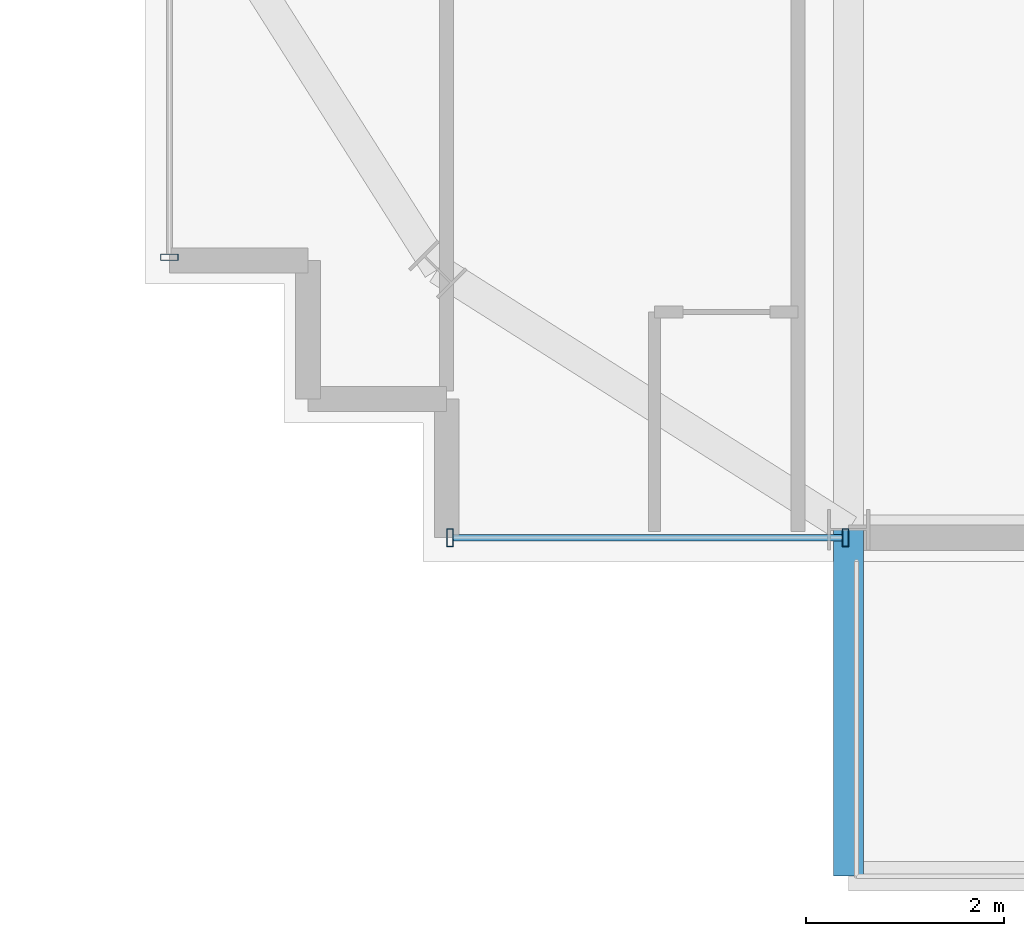
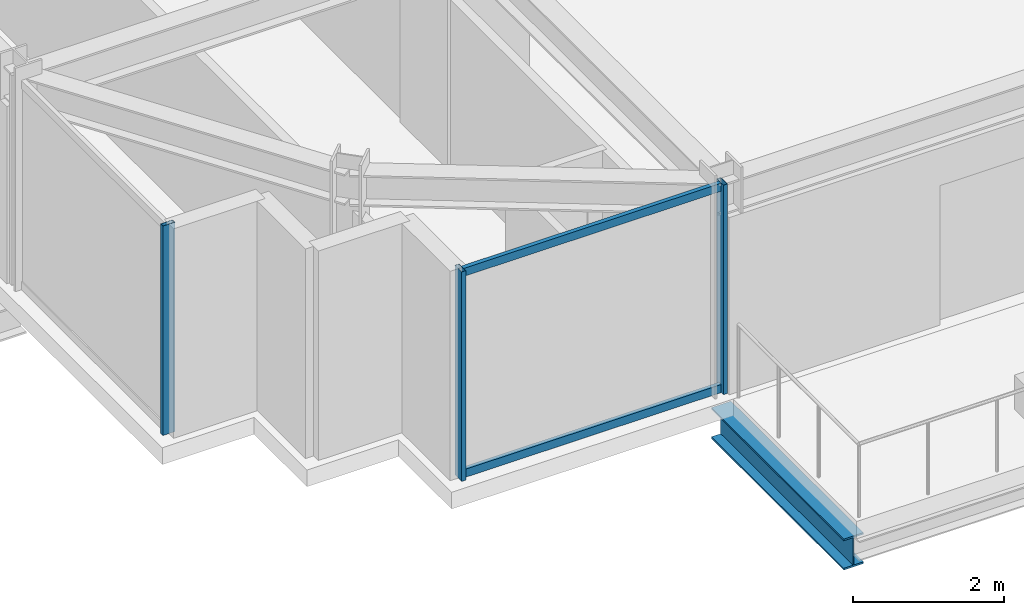
# One storey, part 2 of 32: 5 members, 1 beam, 2 elements without a shape of their own.
"""IFC4 building model written with IfcOpenShell, lengths in metres."""

from ifc_helpers import new_model, si_unit, direction, frame, origin, origin_2d, place, context, subcontext, project, spatial, hollow_rectangle, i_section, extrude, source, transform, mapped, material, material_profile, profile_set, type_object, element, aggregate, save


model = new_model("IFC4")

# Units and contexts
model_context = context("Model", 3, precision=1e-05, world=origin(), true_north=direction((0.0, 1.0)))
body_context = subcontext(model_context, "Body", "Model", "MODEL_VIEW")
ifc_project = project(units=[si_unit("LENGTHUNIT", "METRE"), si_unit("AREAUNIT", "SQUARE_METRE"), si_unit("VOLUMEUNIT", "CUBIC_METRE"), si_unit("PLANEANGLEUNIT", "RADIAN"), si_unit("MASSUNIT", "GRAM", prefix="KILO")], contexts=[model_context])

# Site, building, storey
site_placement = place(None, origin())
site = spatial("IfcSite", under=ifc_project, at=site_placement, CompositionType="ELEMENT")
building_placement = place(site_placement, origin())
building = spatial("IfcBuilding", under=site, at=building_placement, Name="Nahalor Promenade Grand Hotel", CompositionType="ELEMENT")
storey_placement = place(building_placement, frame((0.0, 0.0, 110.199951171875)))
storey = spatial("IfcBuildingStorey", under=building, at=storey_placement, Name="L27", CompositionType="ELEMENT", Elevation=110.199951171875)

# Beam
ifc_material_1 = material(Name="Steel S355JR", Category="steel")
ifc_material_profile_1 = material_profile(ifc_material_1, i_section(OverallWidth=0.3, OverallDepth=0.5, WebThickness=0.0145, FlangeThickness=0.028, at=origin_2d()), Name="HEB 500")
ifc_profile_set_1 = profile_set([ifc_material_profile_1], Name="Steel S355JR")
beam_type = type_object("IfcBeamType", Name="Beam-Outrigger-HEB500", PredefinedType="BEAM", material=ifc_profile_set_1)
shared_shape_1 = source(origin(), body_context, "Body", "SweptSolid", [
    extrude(i_section(OverallWidth=0.3, OverallDepth=0.5, WebThickness=0.0145, FlangeThickness=0.028, at=origin_2d()), origin(), (0.0, 0.0, 1.0), 3.5),
])
beam_placement = place(storey_placement, frame((-17.0, -27.280029296875, -0.530029296875), z_axis=(0.0, 1.0, 0.0), x_axis=(-1.0, 0.0, 0.0)))
element("IfcBeam", 1, at=beam_placement, inside=storey, type_object=beam_type, Name="BM-L27-BC-01-1", PredefinedType="BEAM", context=body_context, shape_type="MappedRepresentation", body=[
    mapped(shared_shape_1, transform((0.0, 0.0, 0.0), scale=1.0)),
])

# Curtain wall, members
ifc_material_2 = material(Name="Anodised Bronze Aluminium EN AW-6063 T6", Category="aluminium")
curtain_wall_type = type_object("IfcCurtainWallType", Name="CW2 Typical Hotel Flush Bronze Unitised Curtain Wall", PredefinedType="USERDEFINED", material=ifc_material_2)
curtain_wall_1_placement = place(storey_placement, origin())
curtain_wall_1 = element("IfcCurtainWall", 2, at=curtain_wall_1_placement, inside=storey, type_object=curtain_wall_type, Name="L27 Curtain Wall CW-L27-S-1", ObjectType="UNITISED_CURTAIN_WALL", PredefinedType="USERDEFINED")
ifc_material_profile_2 = material_profile(ifc_material_2, hollow_rectangle(XDim=0.065, YDim=0.13, WallThickness=0.004, at=origin_2d()), Name="CWT 65x130x4")
ifc_profile_set_2 = profile_set([ifc_material_profile_2], Name="Anodised Bronze Aluminium EN AW-6063 T6")
member_type_1 = type_object("IfcMemberType", Name="CWT2 Typical Bronze Transom 65x130", PredefinedType="USERDEFINED", material=ifc_profile_set_2)
shared_shape_2 = source(origin(), body_context, "Body", "SweptSolid", [
    extrude(hollow_rectangle(XDim=0.065, YDim=0.13, WallThickness=0.004, at=origin_2d()), origin(), (0.0, 0.0, 1.0), 3.93017578125),
])
member_1_placement = place(storey_placement, frame((-20.9951171875, -23.860107421875, 0.06494140625), z_axis=(1.0, 0.0, 0.0), x_axis=(0.0, 1.0, 0.0)))
member_1 = element("IfcMember", 3, at=member_1_placement, type_object=member_type_1, Name="CW-L27-S-1 Transom 0-0", ObjectType="TRANSOM", PredefinedType="USERDEFINED", context=body_context, shape_type="MappedRepresentation", body=[
    mapped(shared_shape_2, transform((0.0, 0.0, 0.0), scale=1.0)),
])
member_2_placement = place(storey_placement, frame((-20.9951171875, -23.860107421875, 3.31494140625), z_axis=(1.0, 0.0, 0.0), x_axis=(0.0, 1.0, 0.0)))
member_2 = element("IfcMember", 4, at=member_2_placement, type_object=member_type_1, Name="CW-L27-S-1 Transom 0-1", ObjectType="TRANSOM", PredefinedType="USERDEFINED", context=body_context, shape_type="MappedRepresentation", body=[
    mapped(shared_shape_2, transform((0.0, 0.0, 0.0), scale=1.0)),
])
ifc_material_profile_3 = material_profile(ifc_material_2, hollow_rectangle(XDim=0.065, YDim=0.18, WallThickness=0.004, at=origin_2d()), Name="CWM 65x180x4")
ifc_profile_set_3 = profile_set([ifc_material_profile_3], Name="Anodised Bronze Aluminium EN AW-6063 T6")
member_type_2 = type_object("IfcMemberType", Name="CWM2 Typical Bronze Mullion 65x180", PredefinedType="MULLION", material=ifc_profile_set_3)
shared_shape_3 = source(origin(), body_context, "Body", "SweptSolid", [
    extrude(hollow_rectangle(XDim=0.065, YDim=0.18, WallThickness=0.004, at=origin_2d()), origin(), (0.0, 0.0, 1.0), 3.380126953125),
])
member_3_placement = place(storey_placement, frame((-21.027587890625, -23.860107421875, 0.0), z_axis=(0.0, 0.0, 1.0), x_axis=(1.0, 0.0, 0.0)))
member_3 = element("IfcMember", 5, at=member_3_placement, type_object=member_type_2, Name="CW-L27-S-1 Mullion 0", PredefinedType="MULLION", context=body_context, shape_type="MappedRepresentation", body=[
    mapped(shared_shape_3, transform((0.0, 0.0, 0.0), scale=1.0)),
])
member_4_placement = place(storey_placement, frame((-17.032470703125, -23.860107421875, 0.0), z_axis=(0.0, 0.0, 1.0), x_axis=(1.0, 0.0, 0.0)))
member_4 = element("IfcMember", 6, at=member_4_placement, type_object=member_type_2, Name="CW-L27-S-1 Mullion 1", PredefinedType="MULLION", context=body_context, shape_type="MappedRepresentation", body=[
    mapped(shared_shape_3, transform((0.0, 0.0, 0.0), scale=1.0)),
])
aggregate(curtain_wall_1, [member_3, member_4, member_1, member_2])

# Curtain wall, member
curtain_wall_2_placement = place(storey_placement, origin())
curtain_wall_2 = element("IfcCurtainWall", 7, at=curtain_wall_2_placement, inside=storey, type_object=curtain_wall_type, Name="L27 Curtain Wall CW-L27-W-1", ObjectType="UNITISED_CURTAIN_WALL", PredefinedType="USERDEFINED")
member_5_placement = place(storey_placement, frame((-23.860107421875, -21.027587890625, 0.0), z_axis=(0.0, 0.0, 1.0), x_axis=(0.0, 1.0, 0.0)))
member_5 = element("IfcMember", 8, at=member_5_placement, type_object=member_type_2, Name="CW-L27-W-1 Mullion 0", PredefinedType="MULLION", context=body_context, shape_type="MappedRepresentation", body=[
    mapped(shared_shape_3, transform((0.0, 0.0, 0.0), scale=1.0)),
])
aggregate(curtain_wall_2, [member_5])

save(model, "model.ifc")
